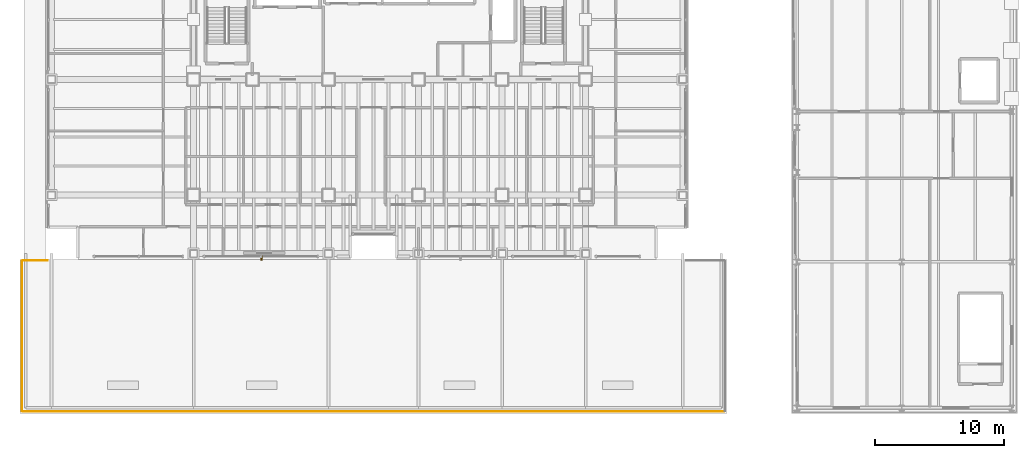
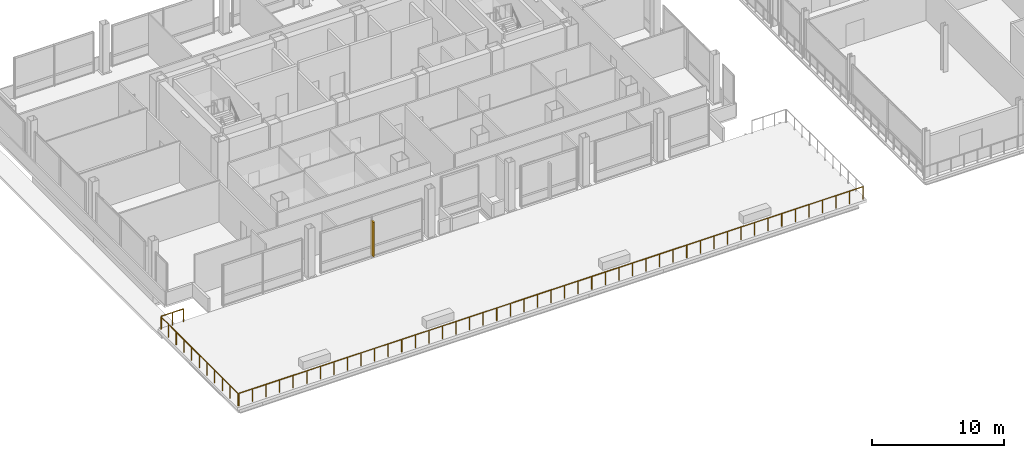
# One storey, part 31 of 34: 3 railings, 1 shading device.
"""IFC4 building model written with IfcOpenShell, lengths in metres."""

from ifc_helpers import new_model, si_unit, direction, frame, origin, origin_2d, place, context, subcontext, project, spatial, rectangle, circle, extrude, material, layer, layer_set, type_object, element, save


model = new_model("IFC4")

# Units and contexts
model_context = context("Model", 3, precision=1e-05, world=origin(), true_north=direction((0.0, 1.0)))
body_context = subcontext(model_context, "Body", "Model", "MODEL_VIEW")
ifc_project = project(units=[si_unit("LENGTHUNIT", "METRE"), si_unit("AREAUNIT", "SQUARE_METRE"), si_unit("VOLUMEUNIT", "CUBIC_METRE"), si_unit("PLANEANGLEUNIT", "RADIAN"), si_unit("MASSUNIT", "GRAM", prefix="KILO")], contexts=[model_context])

# Site, building, storey
site_placement = place(None, origin())
site = spatial("IfcSite", under=ifc_project, at=site_placement, CompositionType="ELEMENT")
building_placement = place(site_placement, origin())
building = spatial("IfcBuilding", under=site, at=building_placement, Name="Noeulbin Bourse Tower", CompositionType="ELEMENT")
storey_placement = place(building_placement, frame((0.0, 0.0, 22.0)))
storey = spatial("IfcBuildingStorey", under=building, at=storey_placement, Name="L05", CompositionType="ELEMENT", Elevation=22.0)

# Railings
ifc_material_1 = material(Name="Stainless Steel 316 Post and Rail", Category="steel")
ifc_layer_1 = layer(ifc_material_1, 0.06005859375)
ifc_layer_set_1 = layer_set([ifc_layer_1], Name="Stainless Steel 316 Post and Rail")
railing_type = type_object("IfcRailingType", Name="RLG-TER-1200", PredefinedType="GUARDRAIL", material=ifc_layer_set_1)
railing_1_placement = place(storey_placement, frame((0.14990234375, 14.85009765625, 0.0)))
element("IfcRailing", 1, at=railing_1_placement, inside=storey, type_object=railing_type, Name="Podium Sky-Garden Guardrail GD-T12-L05-1", PredefinedType="GUARDRAIL", context=body_context, shape_type="SweptSolid", body=[
    extrude(circle(Radius=0.02392578125, at=origin_2d()), frame((0.0, 0.0, 1.17578125), z_axis=(0.0, -1.0, 0.0), x_axis=(1.0, 0.0, 0.0)), (0.0, 0.0, 1.0), 11.650146484375),
    extrude(circle(Radius=0.02099609375, at=origin_2d()), origin(), (0.0, 0.0, 1.0), 1.15185546875),
    extrude(circle(Radius=0.02099609375, at=origin_2d()), frame((0.0, -1.1650390625, 0.0)), (0.0, 0.0, 1.0), 1.15185546875),
    extrude(circle(Radius=0.02099609375, at=origin_2d()), frame((0.0, -2.330078125, 0.0)), (0.0, 0.0, 1.0), 1.15185546875),
    extrude(circle(Radius=0.02099609375, at=origin_2d()), frame((0.0, -3.4951171875, 0.0)), (0.0, 0.0, 1.0), 1.15185546875),
    extrude(circle(Radius=0.02099609375, at=origin_2d()), frame((0.0, -4.66015625, 0.0)), (0.0, 0.0, 1.0), 1.15185546875),
    extrude(circle(Radius=0.02099609375, at=origin_2d()), frame((0.0, -5.8251953125, 0.0)), (0.0, 0.0, 1.0), 1.15185546875),
    extrude(circle(Radius=0.02099609375, at=origin_2d()), frame((0.0, -6.989990234375, 0.0)), (0.0, 0.0, 1.0), 1.15185546875),
    extrude(circle(Radius=0.02099609375, at=origin_2d()), frame((0.0, -8.155029296875, 0.0)), (0.0, 0.0, 1.0), 1.15185546875),
    extrude(circle(Radius=0.02099609375, at=origin_2d()), frame((0.0, -9.320068359375, 0.0)), (0.0, 0.0, 1.0), 1.15185546875),
    extrude(circle(Radius=0.02099609375, at=origin_2d()), frame((0.0, -10.485107421875, 0.0)), (0.0, 0.0, 1.0), 1.15185546875),
    extrude(circle(Radius=0.02099609375, at=origin_2d()), frame((0.0, -11.650146484375, 0.0)), (0.0, 0.0, 1.0), 1.15185546875),
])
railing_2_placement = place(storey_placement, frame((0.219970703125, 3.14990234375, 0.0)))
element("IfcRailing", 2, at=railing_2_placement, inside=storey, type_object=railing_type, Name="Podium Sky-Garden Guardrail GD-T12-L05-2", PredefinedType="GUARDRAIL", context=body_context, shape_type="SweptSolid", body=[
    extrude(circle(Radius=0.02392578125, at=origin_2d()), frame((0.0, 0.0, 1.17578125), z_axis=(1.0, 0.0, 0.0), x_axis=(0.0, 1.0, 0.0)), (0.0, 0.0, 1.0), 54.56005859375),
    extrude(circle(Radius=0.02099609375, at=origin_2d()), origin(), (0.0, 0.0, 1.0), 1.15185546875),
    extrude(circle(Radius=0.02099609375, at=origin_2d()), frame((1.18603515625, 0.0, 0.0)), (0.0, 0.0, 1.0), 1.15185546875),
    extrude(circle(Radius=0.02099609375, at=origin_2d()), frame((2.3720703125, 0.0, 0.0)), (0.0, 0.0, 1.0), 1.15185546875),
    extrude(circle(Radius=0.02099609375, at=origin_2d()), frame((3.558349609375, 0.0, 0.0)), (0.0, 0.0, 1.0), 1.15185546875),
    extrude(circle(Radius=0.02099609375, at=origin_2d()), frame((4.744384765625, 0.0, 0.0)), (0.0, 0.0, 1.0), 1.15185546875),
    extrude(circle(Radius=0.02099609375, at=origin_2d()), frame((5.930419921875, 0.0, 0.0)), (0.0, 0.0, 1.0), 1.15185546875),
    extrude(circle(Radius=0.02099609375, at=origin_2d()), frame((7.116455078125, 0.0, 0.0)), (0.0, 0.0, 1.0), 1.15185546875),
    extrude(circle(Radius=0.02099609375, at=origin_2d()), frame((8.302734375, 0.0, 0.0)), (0.0, 0.0, 1.0), 1.15185546875),
    extrude(circle(Radius=0.02099609375, at=origin_2d()), frame((9.48876953125, 0.0, 0.0)), (0.0, 0.0, 1.0), 1.15185546875),
    extrude(circle(Radius=0.02099609375, at=origin_2d()), frame((10.6748046875, 0.0, 0.0)), (0.0, 0.0, 1.0), 1.15185546875),
    extrude(circle(Radius=0.02099609375, at=origin_2d()), frame((11.86083984375, 0.0, 0.0)), (0.0, 0.0, 1.0), 1.15185546875),
    extrude(circle(Radius=0.02099609375, at=origin_2d()), frame((13.046875, 0.0, 0.0)), (0.0, 0.0, 1.0), 1.15185546875),
    extrude(circle(Radius=0.02099609375, at=origin_2d()), frame((14.233154296875, 0.0, 0.0)), (0.0, 0.0, 1.0), 1.15185546875),
    extrude(circle(Radius=0.02099609375, at=origin_2d()), frame((15.419189453125, 0.0, 0.0)), (0.0, 0.0, 1.0), 1.15185546875),
    extrude(circle(Radius=0.02099609375, at=origin_2d()), frame((16.605224609375, 0.0, 0.0)), (0.0, 0.0, 1.0), 1.15185546875),
    extrude(circle(Radius=0.02099609375, at=origin_2d()), frame((17.791259765625, 0.0, 0.0)), (0.0, 0.0, 1.0), 1.15185546875),
    extrude(circle(Radius=0.02099609375, at=origin_2d()), frame((18.977294921875, 0.0, 0.0)), (0.0, 0.0, 1.0), 1.15185546875),
    extrude(circle(Radius=0.02099609375, at=origin_2d()), frame((20.16357421875, 0.0, 0.0)), (0.0, 0.0, 1.0), 1.15185546875),
    extrude(circle(Radius=0.02099609375, at=origin_2d()), frame((21.349609375, 0.0, 0.0)), (0.0, 0.0, 1.0), 1.15185546875),
    extrude(circle(Radius=0.02099609375, at=origin_2d()), frame((22.53564453125, 0.0, 0.0)), (0.0, 0.0, 1.0), 1.15185546875),
    extrude(circle(Radius=0.02099609375, at=origin_2d()), frame((23.7216796875, 0.0, 0.0)), (0.0, 0.0, 1.0), 1.15185546875),
    extrude(circle(Radius=0.02099609375, at=origin_2d()), frame((24.907958984375, 0.0, 0.0)), (0.0, 0.0, 1.0), 1.15185546875),
    extrude(circle(Radius=0.02099609375, at=origin_2d()), frame((26.093994140625, 0.0, 0.0)), (0.0, 0.0, 1.0), 1.15185546875),
    extrude(circle(Radius=0.02099609375, at=origin_2d()), frame((27.280029296875, 0.0, 0.0)), (0.0, 0.0, 1.0), 1.15185546875),
    extrude(circle(Radius=0.02099609375, at=origin_2d()), frame((28.466064453125, 0.0, 0.0)), (0.0, 0.0, 1.0), 1.15185546875),
    extrude(circle(Radius=0.02099609375, at=origin_2d()), frame((29.652099609375, 0.0, 0.0)), (0.0, 0.0, 1.0), 1.15185546875),
    extrude(circle(Radius=0.02099609375, at=origin_2d()), frame((30.83837890625, 0.0, 0.0)), (0.0, 0.0, 1.0), 1.15185546875),
    extrude(circle(Radius=0.02099609375, at=origin_2d()), frame((32.0244140625, 0.0, 0.0)), (0.0, 0.0, 1.0), 1.15185546875),
    extrude(circle(Radius=0.02099609375, at=origin_2d()), frame((33.21044921875, 0.0, 0.0)), (0.0, 0.0, 1.0), 1.15185546875),
    extrude(circle(Radius=0.02099609375, at=origin_2d()), frame((34.396484375, 0.0, 0.0)), (0.0, 0.0, 1.0), 1.15185546875),
    extrude(circle(Radius=0.02099609375, at=origin_2d()), frame((35.582763671875, 0.0, 0.0)), (0.0, 0.0, 1.0), 1.15185546875),
    extrude(circle(Radius=0.02099609375, at=origin_2d()), frame((36.768798828125, 0.0, 0.0)), (0.0, 0.0, 1.0), 1.15185546875),
    extrude(circle(Radius=0.02099609375, at=origin_2d()), frame((37.954833984375, 0.0, 0.0)), (0.0, 0.0, 1.0), 1.15185546875),
    extrude(circle(Radius=0.02099609375, at=origin_2d()), frame((39.140869140625, 0.0, 0.0)), (0.0, 0.0, 1.0), 1.15185546875),
    extrude(circle(Radius=0.02099609375, at=origin_2d()), frame((40.326904296875, 0.0, 0.0)), (0.0, 0.0, 1.0), 1.15185546875),
    extrude(circle(Radius=0.02099609375, at=origin_2d()), frame((41.51318359375, 0.0, 0.0)), (0.0, 0.0, 1.0), 1.15185546875),
    extrude(circle(Radius=0.02099609375, at=origin_2d()), frame((42.69921875, 0.0, 0.0)), (0.0, 0.0, 1.0), 1.15185546875),
    extrude(circle(Radius=0.02099609375, at=origin_2d()), frame((43.88525390625, 0.0, 0.0)), (0.0, 0.0, 1.0), 1.15185546875),
    extrude(circle(Radius=0.02099609375, at=origin_2d()), frame((45.0712890625, 0.0, 0.0)), (0.0, 0.0, 1.0), 1.15185546875),
    extrude(circle(Radius=0.02099609375, at=origin_2d()), frame((46.25732421875, 0.0, 0.0)), (0.0, 0.0, 1.0), 1.15185546875),
    extrude(circle(Radius=0.02099609375, at=origin_2d()), frame((47.443603515625, 0.0, 0.0)), (0.0, 0.0, 1.0), 1.15185546875),
    extrude(circle(Radius=0.02099609375, at=origin_2d()), frame((48.629638671875, 0.0, 0.0)), (0.0, 0.0, 1.0), 1.15185546875),
    extrude(circle(Radius=0.02099609375, at=origin_2d()), frame((49.815673828125, 0.0, 0.0)), (0.0, 0.0, 1.0), 1.15185546875),
    extrude(circle(Radius=0.02099609375, at=origin_2d()), frame((51.001708984375, 0.0, 0.0)), (0.0, 0.0, 1.0), 1.15185546875),
    extrude(circle(Radius=0.02099609375, at=origin_2d()), frame((52.18798828125, 0.0, 0.0)), (0.0, 0.0, 1.0), 1.15185546875),
    extrude(circle(Radius=0.02099609375, at=origin_2d()), frame((53.3740234375, 0.0, 0.0)), (0.0, 0.0, 1.0), 1.15185546875),
    extrude(circle(Radius=0.02099609375, at=origin_2d()), frame((54.56005859375, 0.0, 0.0)), (0.0, 0.0, 1.0), 1.15185546875),
])
railing_3_placement = place(storey_placement, frame((0.219970703125, 14.89990234375, 0.0)))
element("IfcRailing", 3, at=railing_3_placement, inside=storey, type_object=railing_type, Name="Podium Sky-Garden Guardrail GD-T12-L05-4", PredefinedType="GUARDRAIL", context=body_context, shape_type="SweptSolid", body=[
    extrude(circle(Radius=0.02392578125, at=origin_2d()), frame((0.0, 0.0, 1.17578125), z_axis=(1.0, 0.0, 0.0), x_axis=(0.0, 1.0, 0.0)), (0.0, 0.0, 1.0), 1.929931640625),
    extrude(circle(Radius=0.02099609375, at=origin_2d()), origin(), (0.0, 0.0, 1.0), 1.15185546875),
    extrude(circle(Radius=0.02099609375, at=origin_2d()), frame((0.96484375, 0.0, 0.0)), (0.0, 0.0, 1.0), 1.15185546875),
    extrude(circle(Radius=0.02099609375, at=origin_2d()), frame((1.929931640625, 0.0, 0.0)), (0.0, 0.0, 1.0), 1.15185546875),
])

# Shading device
ifc_material_2 = material(Name="Anodised Aluminium 6063-T6", Category="aluminium")
ifc_layer_2 = layer(ifc_material_2, 3.199951171875)
ifc_layer_set_2 = layer_set([ifc_layer_2], Name="Anodised Aluminium 6063-T6")
shading_device_type = type_object("IfcShadingDeviceType", Name="SHD-FIN-400", PredefinedType="USERDEFINED", material=ifc_layer_set_2)
shading_device_placement = place(storey_placement, frame((18.800048828125, 15.10009765625, 0.14990234375), z_axis=(0.0, 0.0, 1.0), x_axis=(1.0, 0.0, 0.0)))
element("IfcShadingDevice", 4, at=shading_device_placement, inside=storey, type_object=shading_device_type, Name="Vertical Solar Fin SN-L05-1", ObjectType="SUNSHADE", PredefinedType="USERDEFINED", context=body_context, shape_type="SweptSolid", body=[
    extrude(rectangle(XDim=0.1201171875, YDim=0.3798828125, at=origin_2d()), origin(), (0.0, 0.0, 1.0), 3.199951171875),
])

save(model, "model.ifc")
